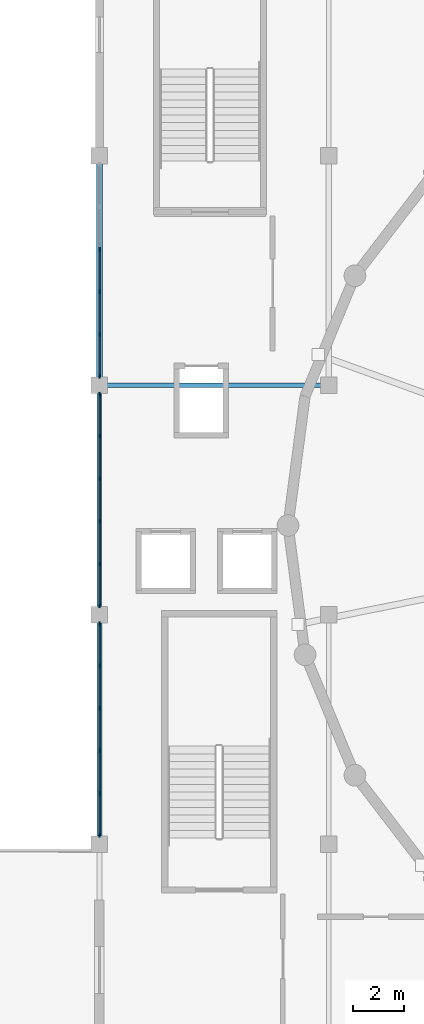
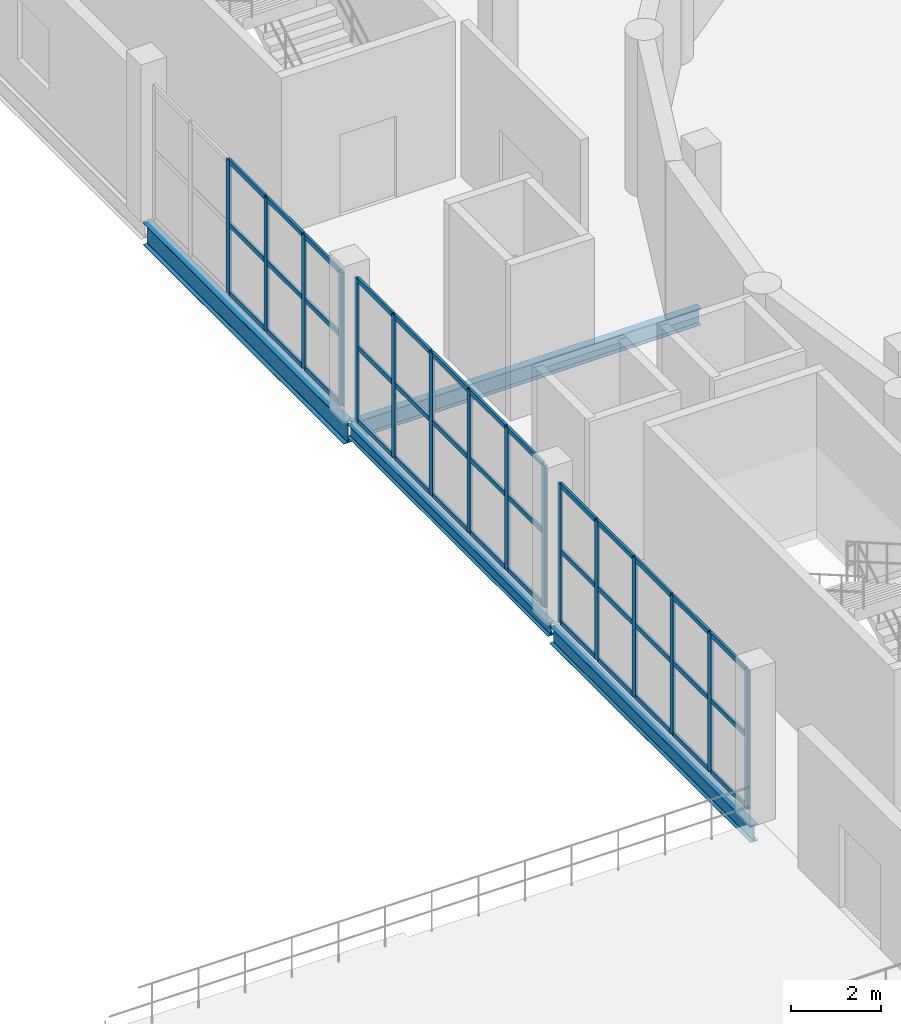
# One storey, part 11 of 54: 55 members, 4 beams, 3 elements without a shape of their own.
"""IFC4 building model written with IfcOpenShell, lengths in metres."""

from ifc_helpers import new_model, si_unit, direction, frame, origin, origin_2d, place, context, subcontext, project, spatial, rectangle, i_section, extrude, material, layer, layer_set, material_profile, profile_set, type_object, element, aggregate, save


model = new_model("IFC4")

# Units and contexts
model_context = context("Model", 3, precision=1e-05, world=origin(), true_north=direction((0.0, 1.0)))
body_context = subcontext(model_context, "Body", "Model", "MODEL_VIEW")
ifc_project = project(units=[si_unit("LENGTHUNIT", "METRE"), si_unit("AREAUNIT", "SQUARE_METRE"), si_unit("VOLUMEUNIT", "CUBIC_METRE"), si_unit("PLANEANGLEUNIT", "RADIAN"), si_unit("MASSUNIT", "GRAM", prefix="KILO")], contexts=[model_context])

# Site, building, storey
site_placement = place(None, origin())
site = spatial("IfcSite", under=ifc_project, at=site_placement, CompositionType="ELEMENT")
building_placement = place(site_placement, origin())
building = spatial("IfcBuilding", under=site, at=building_placement, Name="Marnock Terrace Opera House", CompositionType="ELEMENT")
storey_placement = place(building_placement, frame((0.0, 0.0, 19.199951171875)))
storey = spatial("IfcBuildingStorey", under=building, at=storey_placement, Name="L04", CompositionType="ELEMENT", Elevation=19.199951171875)

# Beams
ifc_material_1 = material(Name="Steel Grade 350 (AS/NZS 3679.1)", Category="steel")
ifc_material_profile_1 = material_profile(ifc_material_1, i_section(OverallWidth=0.1708984375, OverallDepth=0.355712890625, WebThickness=0.00732421875, FlangeThickness=0.011474609375, FilletRadius=0.011474609375, at=origin_2d()))
ifc_profile_set_1 = profile_set([ifc_material_profile_1], Name="Steel Grade 350 (AS/NZS 3679.1)")
beam_type_1 = type_object("IfcBeamType", Name="BM-GIRD-360", PredefinedType="BEAM", material=ifc_profile_set_1)
beam_1_placement = place(storey_placement, frame((55.0, 57.050048828125, -0.427734375), z_axis=(0.0, 1.0, 0.0), x_axis=(-1.0, 0.0, 0.0)))
element("IfcBeam", 1, at=beam_1_placement, inside=storey, type_object=beam_type_1, Name="L04 girder (X=55.0, 57.0..66.0)", PredefinedType="BEAM", context=body_context, shape_type="SweptSolid", body=[
    extrude(i_section(OverallWidth=0.1708984375, OverallDepth=0.355712890625, WebThickness=0.00732421875, FlangeThickness=0.011474609375, FilletRadius=0.011474609375, at=origin_2d()), origin(), (0.0, 0.0, 1.0), 8.89990234375),
])
ifc_material_profile_2 = material_profile(ifc_material_1, i_section(OverallWidth=0.19091796875, OverallDepth=0.46044921875, WebThickness=0.010009765625, FlangeThickness=0.01611328125, FilletRadius=0.011474609375, at=origin_2d()))
ifc_profile_set_2 = profile_set([ifc_material_profile_2], Name="Steel Grade 350 (AS/NZS 3679.1)")
beam_type_2 = type_object("IfcBeamType", Name="BM-GIRD-460A", PredefinedType="BEAM", material=ifc_profile_set_2)
beam_2_placement = place(storey_placement, frame((55.050048828125, 66.0, -0.480224609375), z_axis=(1.0, 0.0, 0.0), x_axis=(0.0, 1.0, 0.0)))
element("IfcBeam", 2, at=beam_2_placement, inside=storey, type_object=beam_type_2, Name="L04 girder (55.0..64.0, Y=66.0)", PredefinedType="BEAM", context=body_context, shape_type="SweptSolid", body=[
    extrude(i_section(OverallWidth=0.19091796875, OverallDepth=0.46044921875, WebThickness=0.010009765625, FlangeThickness=0.01611328125, FilletRadius=0.011474609375, at=origin_2d()), origin(), (0.0, 0.0, 1.0), 8.89990234375),
])
ifc_material_profile_3 = material_profile(ifc_material_1, i_section(OverallWidth=0.18994140625, OverallDepth=0.45751953125, WebThickness=0.009033203125, FlangeThickness=0.014404296875, FilletRadius=0.011474609375, at=origin_2d()))
ifc_profile_set_3 = profile_set([ifc_material_profile_3], Name="Steel Grade 350 (AS/NZS 3679.1)")
beam_type_3 = type_object("IfcBeamType", Name="BM-GIRD-460B", PredefinedType="BEAM", material=ifc_profile_set_3)
beam_3_placement = place(storey_placement, frame((55.0, 48.050048828125, -0.49853515625), z_axis=(0.0, 1.0, 0.0), x_axis=(-1.0, 0.0, 0.0)))
element("IfcBeam", 3, at=beam_3_placement, inside=storey, type_object=beam_type_3, Name="L04 girder (X=55.0, 48.0..57.0)", PredefinedType="BEAM", context=body_context, shape_type="SweptSolid", body=[
    extrude(i_section(OverallWidth=0.18994140625, OverallDepth=0.45751953125, WebThickness=0.009033203125, FlangeThickness=0.014404296875, FilletRadius=0.011474609375, at=origin_2d()), origin(), (0.0, 0.0, 1.0), 8.89990234375),
])
ifc_material_profile_4 = material_profile(ifc_material_1, i_section(OverallWidth=0.22802734375, OverallDepth=0.60205078125, WebThickness=0.010498046875, FlangeThickness=0.014892578125, FilletRadius=0.013916015625, at=origin_2d()))
ifc_profile_set_4 = profile_set([ifc_material_profile_4], Name="Steel Grade 350 (AS/NZS 3679.1)")
beam_type_4 = type_object("IfcBeamType", Name="BM-GIRD-610C", PredefinedType="BEAM", material=ifc_profile_set_4)
beam_4_placement = place(storey_placement, frame((55.0, 66.050048828125, -0.551025390625), z_axis=(0.0, 1.0, 0.0), x_axis=(-1.0, 0.0, 0.0)))
element("IfcBeam", 4, at=beam_4_placement, inside=storey, type_object=beam_type_4, Name="L04 girder (X=55.0, 66.0..75.0)", PredefinedType="BEAM", context=body_context, shape_type="SweptSolid", body=[
    extrude(i_section(OverallWidth=0.22802734375, OverallDepth=0.60205078125, WebThickness=0.010498046875, FlangeThickness=0.014892578125, FilletRadius=0.013916015625, at=origin_2d()), origin(), (0.0, 0.0, 1.0), 8.89990234375),
])

# Curtain wall, members
ifc_material_2 = material(Name="Anodised architectural bronze aluminium framing", Category="aluminium")
ifc_layer = layer(ifc_material_2, 0.159912109375)
ifc_layer_set = layer_set([ifc_layer], Name="Anodised architectural bronze aluminium framing")
curtain_wall_type = type_object("IfcCurtainWallType", Name="CW-DRUM-71x39", PredefinedType="NOTDEFINED", material=ifc_layer_set)
curtain_wall_1_placement = place(storey_placement, origin())
curtain_wall_1 = element("IfcCurtainWall", 5, at=curtain_wall_1_placement, inside=storey, type_object=curtain_wall_type, Name="L04 glazed Beaux-Arts colonnade curtain wall CW-L04-V1W2", PredefinedType="NOTDEFINED")
ifc_material_profile_5 = material_profile(ifc_material_2, rectangle(XDim=0.06005859375, YDim=0.14990234375, at=origin_2d()))
ifc_profile_set_5 = profile_set([ifc_material_profile_5], Name="Anodised architectural bronze aluminium framing")
member_type_1 = type_object("IfcMemberType", Name="CWM-60x150", PredefinedType="MULLION", material=ifc_profile_set_5)
member_1_placement = place(storey_placement, frame((55.0, 48.35107421875, 0.0), z_axis=(0.0, 0.0, 1.0), x_axis=(-1.0, 0.0, 0.0)))
member_1 = element("IfcMember", 6, at=member_1_placement, type_object=member_type_1, Name="CW-76 mullion 1", PredefinedType="MULLION", context=body_context, shape_type="SweptSolid", body=[
    extrude(rectangle(XDim=0.06005859375, YDim=0.14990234375, at=origin_2d()), origin(), (0.0, 0.0, 1.0), 3.7626953125),
])
member_2_placement = place(storey_placement, frame((55.0, 49.99267578125, 0.0), z_axis=(0.0, 0.0, 1.0), x_axis=(-1.0, 0.0, 0.0)))
member_2 = element("IfcMember", 7, at=member_2_placement, type_object=member_type_1, Name="CW-76 mullion 2", PredefinedType="MULLION", context=body_context, shape_type="SweptSolid", body=[
    extrude(rectangle(XDim=0.06005859375, YDim=0.14990234375, at=origin_2d()), origin(), (0.0, 0.0, 1.0), 3.7626953125),
])
member_3_placement = place(storey_placement, frame((55.0, 51.664306640625, 0.0), z_axis=(0.0, 0.0, 1.0), x_axis=(-1.0, 0.0, 0.0)))
member_3 = element("IfcMember", 8, at=member_3_placement, type_object=member_type_1, Name="CW-76 mullion 3", PredefinedType="MULLION", context=body_context, shape_type="SweptSolid", body=[
    extrude(rectangle(XDim=0.06005859375, YDim=0.14990234375, at=origin_2d()), origin(), (0.0, 0.0, 1.0), 3.7626953125),
])
member_4_placement = place(storey_placement, frame((55.0, 53.335693359375, 0.0), z_axis=(0.0, 0.0, 1.0), x_axis=(-1.0, 0.0, 0.0)))
member_4 = element("IfcMember", 9, at=member_4_placement, type_object=member_type_1, Name="CW-76 mullion 4", PredefinedType="MULLION", context=body_context, shape_type="SweptSolid", body=[
    extrude(rectangle(XDim=0.06005859375, YDim=0.14990234375, at=origin_2d()), origin(), (0.0, 0.0, 1.0), 3.7626953125),
])
member_5_placement = place(storey_placement, frame((55.0, 55.00732421875, 0.0), z_axis=(0.0, 0.0, 1.0), x_axis=(-1.0, 0.0, 0.0)))
member_5 = element("IfcMember", 10, at=member_5_placement, type_object=member_type_1, Name="CW-76 mullion 5", PredefinedType="MULLION", context=body_context, shape_type="SweptSolid", body=[
    extrude(rectangle(XDim=0.06005859375, YDim=0.14990234375, at=origin_2d()), origin(), (0.0, 0.0, 1.0), 3.7626953125),
])
member_6_placement = place(storey_placement, frame((55.0, 56.64892578125, 0.0), z_axis=(0.0, 0.0, 1.0), x_axis=(-1.0, 0.0, 0.0)))
member_6 = element("IfcMember", 11, at=member_6_placement, type_object=member_type_1, Name="CW-76 mullion 6", PredefinedType="MULLION", context=body_context, shape_type="SweptSolid", body=[
    extrude(rectangle(XDim=0.06005859375, YDim=0.14990234375, at=origin_2d()), origin(), (0.0, 0.0, 1.0), 3.7626953125),
])

curtain_wall_2_placement = place(storey_placement, origin())
curtain_wall_2 = element("IfcCurtainWall", 12, at=curtain_wall_2_placement, inside=storey, type_object=curtain_wall_type, Name="L04 glazed Beaux-Arts colonnade curtain wall CW-L04-V1W3", PredefinedType="NOTDEFINED")
member_7_placement = place(storey_placement, frame((55.0, 57.35107421875, 0.0), z_axis=(0.0, 0.0, 1.0), x_axis=(-1.0, 0.0, 0.0)))
member_7 = element("IfcMember", 13, at=member_7_placement, type_object=member_type_1, Name="CW-76 mullion 1", PredefinedType="MULLION", context=body_context, shape_type="SweptSolid", body=[
    extrude(rectangle(XDim=0.06005859375, YDim=0.14990234375, at=origin_2d()), origin(), (0.0, 0.0, 1.0), 3.864501953125),
])
member_8_placement = place(storey_placement, frame((55.0, 58.99267578125, 0.0), z_axis=(0.0, 0.0, 1.0), x_axis=(-1.0, 0.0, 0.0)))
member_8 = element("IfcMember", 14, at=member_8_placement, type_object=member_type_1, Name="CW-76 mullion 2", PredefinedType="MULLION", context=body_context, shape_type="SweptSolid", body=[
    extrude(rectangle(XDim=0.06005859375, YDim=0.14990234375, at=origin_2d()), origin(), (0.0, 0.0, 1.0), 3.864501953125),
])
member_9_placement = place(storey_placement, frame((55.0, 60.664306640625, 0.0), z_axis=(0.0, 0.0, 1.0), x_axis=(-1.0, 0.0, 0.0)))
member_9 = element("IfcMember", 15, at=member_9_placement, type_object=member_type_1, Name="CW-76 mullion 3", PredefinedType="MULLION", context=body_context, shape_type="SweptSolid", body=[
    extrude(rectangle(XDim=0.06005859375, YDim=0.14990234375, at=origin_2d()), origin(), (0.0, 0.0, 1.0), 3.864501953125),
])
member_10_placement = place(storey_placement, frame((55.0, 62.335693359375, 0.0), z_axis=(0.0, 0.0, 1.0), x_axis=(-1.0, 0.0, 0.0)))
member_10 = element("IfcMember", 16, at=member_10_placement, type_object=member_type_1, Name="CW-76 mullion 4", PredefinedType="MULLION", context=body_context, shape_type="SweptSolid", body=[
    extrude(rectangle(XDim=0.06005859375, YDim=0.14990234375, at=origin_2d()), origin(), (0.0, 0.0, 1.0), 3.864501953125),
])
member_11_placement = place(storey_placement, frame((55.0, 64.00732421875, 0.0), z_axis=(0.0, 0.0, 1.0), x_axis=(-1.0, 0.0, 0.0)))
member_11 = element("IfcMember", 17, at=member_11_placement, type_object=member_type_1, Name="CW-76 mullion 5", PredefinedType="MULLION", context=body_context, shape_type="SweptSolid", body=[
    extrude(rectangle(XDim=0.06005859375, YDim=0.14990234375, at=origin_2d()), origin(), (0.0, 0.0, 1.0), 3.864501953125),
])
member_12_placement = place(storey_placement, frame((55.0, 65.64892578125, 0.0), z_axis=(0.0, 0.0, 1.0), x_axis=(-1.0, 0.0, 0.0)))
member_12 = element("IfcMember", 18, at=member_12_placement, type_object=member_type_1, Name="CW-76 mullion 6", PredefinedType="MULLION", context=body_context, shape_type="SweptSolid", body=[
    extrude(rectangle(XDim=0.06005859375, YDim=0.14990234375, at=origin_2d()), origin(), (0.0, 0.0, 1.0), 3.864501953125),
])

curtain_wall_3_placement = place(storey_placement, origin())
curtain_wall_3 = element("IfcCurtainWall", 19, at=curtain_wall_3_placement, inside=storey, type_object=curtain_wall_type, Name="L04 glazed Beaux-Arts colonnade curtain wall CW-L04-V1W4", PredefinedType="NOTDEFINED")
member_13_placement = place(storey_placement, frame((55.0, 66.35107421875, 0.0), z_axis=(0.0, 0.0, 1.0), x_axis=(-1.0, 0.0, 0.0)))
member_13 = element("IfcMember", 20, at=member_13_placement, type_object=member_type_1, Name="CW-76 mullion 1", PredefinedType="MULLION", context=body_context, shape_type="SweptSolid", body=[
    extrude(rectangle(XDim=0.06005859375, YDim=0.14990234375, at=origin_2d()), origin(), (0.0, 0.0, 1.0), 3.6181640625),
])
member_14_placement = place(storey_placement, frame((55.0, 67.99267578125, 0.0), z_axis=(0.0, 0.0, 1.0), x_axis=(-1.0, 0.0, 0.0)))
member_14 = element("IfcMember", 21, at=member_14_placement, type_object=member_type_1, Name="CW-76 mullion 2", PredefinedType="MULLION", context=body_context, shape_type="SweptSolid", body=[
    extrude(rectangle(XDim=0.06005859375, YDim=0.14990234375, at=origin_2d()), origin(), (0.0, 0.0, 1.0), 3.6181640625),
])
member_15_placement = place(storey_placement, frame((55.0, 69.664306640625, 0.0), z_axis=(0.0, 0.0, 1.0), x_axis=(-1.0, 0.0, 0.0)))
member_15 = element("IfcMember", 22, at=member_15_placement, type_object=member_type_1, Name="CW-76 mullion 3", PredefinedType="MULLION", context=body_context, shape_type="SweptSolid", body=[
    extrude(rectangle(XDim=0.06005859375, YDim=0.14990234375, at=origin_2d()), origin(), (0.0, 0.0, 1.0), 3.6181640625),
])
member_16_placement = place(storey_placement, frame((55.0, 71.335693359375, 0.0), z_axis=(0.0, 0.0, 1.0), x_axis=(-1.0, 0.0, 0.0)))
member_16 = element("IfcMember", 23, at=member_16_placement, type_object=member_type_1, Name="CW-76 mullion 4", PredefinedType="MULLION", context=body_context, shape_type="SweptSolid", body=[
    extrude(rectangle(XDim=0.06005859375, YDim=0.14990234375, at=origin_2d()), origin(), (0.0, 0.0, 1.0), 3.6181640625),
])

# Member
ifc_material_profile_6 = material_profile(ifc_material_2, rectangle(XDim=0.06005859375, YDim=0.1298828125, at=origin_2d()))
ifc_profile_set_6 = profile_set([ifc_material_profile_6], Name="Anodised architectural bronze aluminium framing")
member_type_2 = type_object("IfcMemberType", Name="CWT-60x130", PredefinedType="USERDEFINED", material=ifc_profile_set_6)
member_17_placement = place(storey_placement, frame((55.0, 48.381103515625, 0.030029296875), z_axis=(0.0, 1.0, 0.0), x_axis=(-1.0, 0.0, 0.0)))
member_17 = element("IfcMember", 24, at=member_17_placement, type_object=member_type_2, Name="CW-76 transom 1.1", ObjectType="TRANSOM", PredefinedType="USERDEFINED", context=body_context, shape_type="SweptSolid", body=[
    extrude(rectangle(XDim=0.06005859375, YDim=0.1298828125, at=origin_2d()), origin(), (0.0, 0.0, 1.0), 1.58154296875),
])

member_18_placement = place(storey_placement, frame((55.0, 48.381103515625, 1.95654296875), z_axis=(0.0, 1.0, 0.0), x_axis=(-1.0, 0.0, 0.0)))
member_18 = element("IfcMember", 25, at=member_18_placement, type_object=member_type_2, Name="CW-76 transom 1.2", ObjectType="TRANSOM", PredefinedType="USERDEFINED", context=body_context, shape_type="SweptSolid", body=[
    extrude(rectangle(XDim=0.06005859375, YDim=0.1298828125, at=origin_2d()), origin(), (0.0, 0.0, 1.0), 1.58154296875),
])

member_19_placement = place(storey_placement, frame((55.0, 48.381103515625, 3.732666015625), z_axis=(0.0, 1.0, 0.0), x_axis=(-1.0, 0.0, 0.0)))
member_19 = element("IfcMember", 26, at=member_19_placement, type_object=member_type_2, Name="CW-76 transom 1.3", ObjectType="TRANSOM", PredefinedType="USERDEFINED", context=body_context, shape_type="SweptSolid", body=[
    extrude(rectangle(XDim=0.06005859375, YDim=0.1298828125, at=origin_2d()), origin(), (0.0, 0.0, 1.0), 1.58154296875),
])

member_20_placement = place(storey_placement, frame((55.0, 50.022705078125, 0.030029296875), z_axis=(0.0, 1.0, 0.0), x_axis=(-1.0, 0.0, 0.0)))
member_20 = element("IfcMember", 27, at=member_20_placement, type_object=member_type_2, Name="CW-76 transom 2.1", ObjectType="TRANSOM", PredefinedType="USERDEFINED", context=body_context, shape_type="SweptSolid", body=[
    extrude(rectangle(XDim=0.06005859375, YDim=0.1298828125, at=origin_2d()), origin(), (0.0, 0.0, 1.0), 1.611572265625),
])

member_21_placement = place(storey_placement, frame((55.0, 50.022705078125, 1.95654296875), z_axis=(0.0, 1.0, 0.0), x_axis=(-1.0, 0.0, 0.0)))
member_21 = element("IfcMember", 28, at=member_21_placement, type_object=member_type_2, Name="CW-76 transom 2.2", ObjectType="TRANSOM", PredefinedType="USERDEFINED", context=body_context, shape_type="SweptSolid", body=[
    extrude(rectangle(XDim=0.06005859375, YDim=0.1298828125, at=origin_2d()), origin(), (0.0, 0.0, 1.0), 1.611572265625),
])

member_22_placement = place(storey_placement, frame((55.0, 50.022705078125, 3.732666015625), z_axis=(0.0, 1.0, 0.0), x_axis=(-1.0, 0.0, 0.0)))
member_22 = element("IfcMember", 29, at=member_22_placement, type_object=member_type_2, Name="CW-76 transom 2.3", ObjectType="TRANSOM", PredefinedType="USERDEFINED", context=body_context, shape_type="SweptSolid", body=[
    extrude(rectangle(XDim=0.06005859375, YDim=0.1298828125, at=origin_2d()), origin(), (0.0, 0.0, 1.0), 1.611572265625),
])

member_23_placement = place(storey_placement, frame((55.0, 51.694091796875, 0.030029296875), z_axis=(0.0, 1.0, 0.0), x_axis=(-1.0, 0.0, 0.0)))
member_23 = element("IfcMember", 30, at=member_23_placement, type_object=member_type_2, Name="CW-76 transom 3.1", ObjectType="TRANSOM", PredefinedType="USERDEFINED", context=body_context, shape_type="SweptSolid", body=[
    extrude(rectangle(XDim=0.06005859375, YDim=0.1298828125, at=origin_2d()), origin(), (0.0, 0.0, 1.0), 1.61181640625),
])

member_24_placement = place(storey_placement, frame((55.0, 51.694091796875, 1.95654296875), z_axis=(0.0, 1.0, 0.0), x_axis=(-1.0, 0.0, 0.0)))
member_24 = element("IfcMember", 31, at=member_24_placement, type_object=member_type_2, Name="CW-76 transom 3.2", ObjectType="TRANSOM", PredefinedType="USERDEFINED", context=body_context, shape_type="SweptSolid", body=[
    extrude(rectangle(XDim=0.06005859375, YDim=0.1298828125, at=origin_2d()), origin(), (0.0, 0.0, 1.0), 1.61181640625),
])

member_25_placement = place(storey_placement, frame((55.0, 51.694091796875, 3.732666015625), z_axis=(0.0, 1.0, 0.0), x_axis=(-1.0, 0.0, 0.0)))
member_25 = element("IfcMember", 32, at=member_25_placement, type_object=member_type_2, Name="CW-76 transom 3.3", ObjectType="TRANSOM", PredefinedType="USERDEFINED", context=body_context, shape_type="SweptSolid", body=[
    extrude(rectangle(XDim=0.06005859375, YDim=0.1298828125, at=origin_2d()), origin(), (0.0, 0.0, 1.0), 1.61181640625),
])

member_26_placement = place(storey_placement, frame((55.0, 53.36572265625, 0.030029296875), z_axis=(0.0, 1.0, 0.0), x_axis=(-1.0, 0.0, 0.0)))
member_26 = element("IfcMember", 33, at=member_26_placement, type_object=member_type_2, Name="CW-76 transom 4.1", ObjectType="TRANSOM", PredefinedType="USERDEFINED", context=body_context, shape_type="SweptSolid", body=[
    extrude(rectangle(XDim=0.06005859375, YDim=0.1298828125, at=origin_2d()), origin(), (0.0, 0.0, 1.0), 1.611572265625),
])

member_27_placement = place(storey_placement, frame((55.0, 53.36572265625, 1.95654296875), z_axis=(0.0, 1.0, 0.0), x_axis=(-1.0, 0.0, 0.0)))
member_27 = element("IfcMember", 34, at=member_27_placement, type_object=member_type_2, Name="CW-76 transom 4.2", ObjectType="TRANSOM", PredefinedType="USERDEFINED", context=body_context, shape_type="SweptSolid", body=[
    extrude(rectangle(XDim=0.06005859375, YDim=0.1298828125, at=origin_2d()), origin(), (0.0, 0.0, 1.0), 1.611572265625),
])

member_28_placement = place(storey_placement, frame((55.0, 53.36572265625, 3.732666015625), z_axis=(0.0, 1.0, 0.0), x_axis=(-1.0, 0.0, 0.0)))
member_28 = element("IfcMember", 35, at=member_28_placement, type_object=member_type_2, Name="CW-76 transom 4.3", ObjectType="TRANSOM", PredefinedType="USERDEFINED", context=body_context, shape_type="SweptSolid", body=[
    extrude(rectangle(XDim=0.06005859375, YDim=0.1298828125, at=origin_2d()), origin(), (0.0, 0.0, 1.0), 1.611572265625),
])

member_29_placement = place(storey_placement, frame((55.0, 55.037353515625, 0.030029296875), z_axis=(0.0, 1.0, 0.0), x_axis=(-1.0, 0.0, 0.0)))
member_29 = element("IfcMember", 36, at=member_29_placement, type_object=member_type_2, Name="CW-76 transom 5.1", ObjectType="TRANSOM", PredefinedType="USERDEFINED", context=body_context, shape_type="SweptSolid", body=[
    extrude(rectangle(XDim=0.06005859375, YDim=0.1298828125, at=origin_2d()), origin(), (0.0, 0.0, 1.0), 1.58154296875),
])

member_30_placement = place(storey_placement, frame((55.0, 55.037353515625, 1.95654296875), z_axis=(0.0, 1.0, 0.0), x_axis=(-1.0, 0.0, 0.0)))
member_30 = element("IfcMember", 37, at=member_30_placement, type_object=member_type_2, Name="CW-76 transom 5.2", ObjectType="TRANSOM", PredefinedType="USERDEFINED", context=body_context, shape_type="SweptSolid", body=[
    extrude(rectangle(XDim=0.06005859375, YDim=0.1298828125, at=origin_2d()), origin(), (0.0, 0.0, 1.0), 1.58154296875),
])

member_31_placement = place(storey_placement, frame((55.0, 55.037353515625, 3.732666015625), z_axis=(0.0, 1.0, 0.0), x_axis=(-1.0, 0.0, 0.0)))
member_31 = element("IfcMember", 38, at=member_31_placement, type_object=member_type_2, Name="CW-76 transom 5.3", ObjectType="TRANSOM", PredefinedType="USERDEFINED", context=body_context, shape_type="SweptSolid", body=[
    extrude(rectangle(XDim=0.06005859375, YDim=0.1298828125, at=origin_2d()), origin(), (0.0, 0.0, 1.0), 1.58154296875),
])

aggregate(curtain_wall_1, [member_1, member_2, member_3, member_4, member_5, member_6, member_17, member_18, member_19, member_20, member_21, member_22, member_23, member_24, member_25, member_26, member_27, member_28, member_29, member_30, member_31])

member_32_placement = place(storey_placement, frame((55.0, 57.381103515625, 0.030029296875), z_axis=(0.0, 1.0, 0.0), x_axis=(-1.0, 0.0, 0.0)))
member_32 = element("IfcMember", 39, at=member_32_placement, type_object=member_type_2, Name="CW-76 transom 1.1", ObjectType="TRANSOM", PredefinedType="USERDEFINED", context=body_context, shape_type="SweptSolid", body=[
    extrude(rectangle(XDim=0.06005859375, YDim=0.1298828125, at=origin_2d()), origin(), (0.0, 0.0, 1.0), 1.58154296875),
])

member_33_placement = place(storey_placement, frame((55.0, 57.381103515625, 2.009521484375), z_axis=(0.0, 1.0, 0.0), x_axis=(-1.0, 0.0, 0.0)))
member_33 = element("IfcMember", 40, at=member_33_placement, type_object=member_type_2, Name="CW-76 transom 1.2", ObjectType="TRANSOM", PredefinedType="USERDEFINED", context=body_context, shape_type="SweptSolid", body=[
    extrude(rectangle(XDim=0.06005859375, YDim=0.1298828125, at=origin_2d()), origin(), (0.0, 0.0, 1.0), 1.58154296875),
])

member_34_placement = place(storey_placement, frame((55.0, 57.381103515625, 3.83447265625), z_axis=(0.0, 1.0, 0.0), x_axis=(-1.0, 0.0, 0.0)))
member_34 = element("IfcMember", 41, at=member_34_placement, type_object=member_type_2, Name="CW-76 transom 1.3", ObjectType="TRANSOM", PredefinedType="USERDEFINED", context=body_context, shape_type="SweptSolid", body=[
    extrude(rectangle(XDim=0.06005859375, YDim=0.1298828125, at=origin_2d()), origin(), (0.0, 0.0, 1.0), 1.58154296875),
])

member_35_placement = place(storey_placement, frame((55.0, 59.022705078125, 0.030029296875), z_axis=(0.0, 1.0, 0.0), x_axis=(-1.0, 0.0, 0.0)))
member_35 = element("IfcMember", 42, at=member_35_placement, type_object=member_type_2, Name="CW-76 transom 2.1", ObjectType="TRANSOM", PredefinedType="USERDEFINED", context=body_context, shape_type="SweptSolid", body=[
    extrude(rectangle(XDim=0.06005859375, YDim=0.1298828125, at=origin_2d()), origin(), (0.0, 0.0, 1.0), 1.611572265625),
])

member_36_placement = place(storey_placement, frame((55.0, 59.022705078125, 2.009521484375), z_axis=(0.0, 1.0, 0.0), x_axis=(-1.0, 0.0, 0.0)))
member_36 = element("IfcMember", 43, at=member_36_placement, type_object=member_type_2, Name="CW-76 transom 2.2", ObjectType="TRANSOM", PredefinedType="USERDEFINED", context=body_context, shape_type="SweptSolid", body=[
    extrude(rectangle(XDim=0.06005859375, YDim=0.1298828125, at=origin_2d()), origin(), (0.0, 0.0, 1.0), 1.611572265625),
])

member_37_placement = place(storey_placement, frame((55.0, 59.022705078125, 3.83447265625), z_axis=(0.0, 1.0, 0.0), x_axis=(-1.0, 0.0, 0.0)))
member_37 = element("IfcMember", 44, at=member_37_placement, type_object=member_type_2, Name="CW-76 transom 2.3", ObjectType="TRANSOM", PredefinedType="USERDEFINED", context=body_context, shape_type="SweptSolid", body=[
    extrude(rectangle(XDim=0.06005859375, YDim=0.1298828125, at=origin_2d()), origin(), (0.0, 0.0, 1.0), 1.611572265625),
])

member_38_placement = place(storey_placement, frame((55.0, 60.694091796875, 0.030029296875), z_axis=(0.0, 1.0, 0.0), x_axis=(-1.0, 0.0, 0.0)))
member_38 = element("IfcMember", 45, at=member_38_placement, type_object=member_type_2, Name="CW-76 transom 3.1", ObjectType="TRANSOM", PredefinedType="USERDEFINED", context=body_context, shape_type="SweptSolid", body=[
    extrude(rectangle(XDim=0.06005859375, YDim=0.1298828125, at=origin_2d()), origin(), (0.0, 0.0, 1.0), 1.61181640625),
])

member_39_placement = place(storey_placement, frame((55.0, 60.694091796875, 2.009521484375), z_axis=(0.0, 1.0, 0.0), x_axis=(-1.0, 0.0, 0.0)))
member_39 = element("IfcMember", 46, at=member_39_placement, type_object=member_type_2, Name="CW-76 transom 3.2", ObjectType="TRANSOM", PredefinedType="USERDEFINED", context=body_context, shape_type="SweptSolid", body=[
    extrude(rectangle(XDim=0.06005859375, YDim=0.1298828125, at=origin_2d()), origin(), (0.0, 0.0, 1.0), 1.61181640625),
])

member_40_placement = place(storey_placement, frame((55.0, 60.694091796875, 3.83447265625), z_axis=(0.0, 1.0, 0.0), x_axis=(-1.0, 0.0, 0.0)))
member_40 = element("IfcMember", 47, at=member_40_placement, type_object=member_type_2, Name="CW-76 transom 3.3", ObjectType="TRANSOM", PredefinedType="USERDEFINED", context=body_context, shape_type="SweptSolid", body=[
    extrude(rectangle(XDim=0.06005859375, YDim=0.1298828125, at=origin_2d()), origin(), (0.0, 0.0, 1.0), 1.61181640625),
])

member_41_placement = place(storey_placement, frame((55.0, 62.36572265625, 0.030029296875), z_axis=(0.0, 1.0, 0.0), x_axis=(-1.0, 0.0, 0.0)))
member_41 = element("IfcMember", 48, at=member_41_placement, type_object=member_type_2, Name="CW-76 transom 4.1", ObjectType="TRANSOM", PredefinedType="USERDEFINED", context=body_context, shape_type="SweptSolid", body=[
    extrude(rectangle(XDim=0.06005859375, YDim=0.1298828125, at=origin_2d()), origin(), (0.0, 0.0, 1.0), 1.611572265625),
])

member_42_placement = place(storey_placement, frame((55.0, 62.36572265625, 2.009521484375), z_axis=(0.0, 1.0, 0.0), x_axis=(-1.0, 0.0, 0.0)))
member_42 = element("IfcMember", 49, at=member_42_placement, type_object=member_type_2, Name="CW-76 transom 4.2", ObjectType="TRANSOM", PredefinedType="USERDEFINED", context=body_context, shape_type="SweptSolid", body=[
    extrude(rectangle(XDim=0.06005859375, YDim=0.1298828125, at=origin_2d()), origin(), (0.0, 0.0, 1.0), 1.611572265625),
])

member_43_placement = place(storey_placement, frame((55.0, 62.36572265625, 3.83447265625), z_axis=(0.0, 1.0, 0.0), x_axis=(-1.0, 0.0, 0.0)))
member_43 = element("IfcMember", 50, at=member_43_placement, type_object=member_type_2, Name="CW-76 transom 4.3", ObjectType="TRANSOM", PredefinedType="USERDEFINED", context=body_context, shape_type="SweptSolid", body=[
    extrude(rectangle(XDim=0.06005859375, YDim=0.1298828125, at=origin_2d()), origin(), (0.0, 0.0, 1.0), 1.611572265625),
])

member_44_placement = place(storey_placement, frame((55.0, 64.037353515625, 0.030029296875), z_axis=(0.0, 1.0, 0.0), x_axis=(-1.0, 0.0, 0.0)))
member_44 = element("IfcMember", 51, at=member_44_placement, type_object=member_type_2, Name="CW-76 transom 5.1", ObjectType="TRANSOM", PredefinedType="USERDEFINED", context=body_context, shape_type="SweptSolid", body=[
    extrude(rectangle(XDim=0.06005859375, YDim=0.1298828125, at=origin_2d()), origin(), (0.0, 0.0, 1.0), 1.58154296875),
])

member_45_placement = place(storey_placement, frame((55.0, 64.037353515625, 2.009521484375), z_axis=(0.0, 1.0, 0.0), x_axis=(-1.0, 0.0, 0.0)))
member_45 = element("IfcMember", 52, at=member_45_placement, type_object=member_type_2, Name="CW-76 transom 5.2", ObjectType="TRANSOM", PredefinedType="USERDEFINED", context=body_context, shape_type="SweptSolid", body=[
    extrude(rectangle(XDim=0.06005859375, YDim=0.1298828125, at=origin_2d()), origin(), (0.0, 0.0, 1.0), 1.58154296875),
])

member_46_placement = place(storey_placement, frame((55.0, 64.037353515625, 3.83447265625), z_axis=(0.0, 1.0, 0.0), x_axis=(-1.0, 0.0, 0.0)))
member_46 = element("IfcMember", 53, at=member_46_placement, type_object=member_type_2, Name="CW-76 transom 5.3", ObjectType="TRANSOM", PredefinedType="USERDEFINED", context=body_context, shape_type="SweptSolid", body=[
    extrude(rectangle(XDim=0.06005859375, YDim=0.1298828125, at=origin_2d()), origin(), (0.0, 0.0, 1.0), 1.58154296875),
])

aggregate(curtain_wall_2, [member_7, member_8, member_9, member_10, member_11, member_12, member_32, member_33, member_34, member_35, member_36, member_37, member_38, member_39, member_40, member_41, member_42, member_43, member_44, member_45, member_46])

member_47_placement = place(storey_placement, frame((55.0, 66.381103515625, 0.030029296875), z_axis=(0.0, 1.0, 0.0), x_axis=(-1.0, 0.0, 0.0)))
member_47 = element("IfcMember", 54, at=member_47_placement, type_object=member_type_2, Name="CW-76 transom 1.1", ObjectType="TRANSOM", PredefinedType="USERDEFINED", context=body_context, shape_type="SweptSolid", body=[
    extrude(rectangle(XDim=0.06005859375, YDim=0.1298828125, at=origin_2d()), origin(), (0.0, 0.0, 1.0), 1.58154296875),
])

member_48_placement = place(storey_placement, frame((55.0, 66.381103515625, 1.88134765625), z_axis=(0.0, 1.0, 0.0), x_axis=(-1.0, 0.0, 0.0)))
member_48 = element("IfcMember", 55, at=member_48_placement, type_object=member_type_2, Name="CW-76 transom 1.2", ObjectType="TRANSOM", PredefinedType="USERDEFINED", context=body_context, shape_type="SweptSolid", body=[
    extrude(rectangle(XDim=0.06005859375, YDim=0.1298828125, at=origin_2d()), origin(), (0.0, 0.0, 1.0), 1.58154296875),
])

member_49_placement = place(storey_placement, frame((55.0, 66.381103515625, 3.588134765625), z_axis=(0.0, 1.0, 0.0), x_axis=(-1.0, 0.0, 0.0)))
member_49 = element("IfcMember", 56, at=member_49_placement, type_object=member_type_2, Name="CW-76 transom 1.3", ObjectType="TRANSOM", PredefinedType="USERDEFINED", context=body_context, shape_type="SweptSolid", body=[
    extrude(rectangle(XDim=0.06005859375, YDim=0.1298828125, at=origin_2d()), origin(), (0.0, 0.0, 1.0), 1.58154296875),
])

member_50_placement = place(storey_placement, frame((55.0, 68.022705078125, 0.030029296875), z_axis=(0.0, 1.0, 0.0), x_axis=(-1.0, 0.0, 0.0)))
member_50 = element("IfcMember", 57, at=member_50_placement, type_object=member_type_2, Name="CW-76 transom 2.1", ObjectType="TRANSOM", PredefinedType="USERDEFINED", context=body_context, shape_type="SweptSolid", body=[
    extrude(rectangle(XDim=0.06005859375, YDim=0.1298828125, at=origin_2d()), origin(), (0.0, 0.0, 1.0), 1.611572265625),
])

member_51_placement = place(storey_placement, frame((55.0, 68.022705078125, 1.88134765625), z_axis=(0.0, 1.0, 0.0), x_axis=(-1.0, 0.0, 0.0)))
member_51 = element("IfcMember", 58, at=member_51_placement, type_object=member_type_2, Name="CW-76 transom 2.2", ObjectType="TRANSOM", PredefinedType="USERDEFINED", context=body_context, shape_type="SweptSolid", body=[
    extrude(rectangle(XDim=0.06005859375, YDim=0.1298828125, at=origin_2d()), origin(), (0.0, 0.0, 1.0), 1.611572265625),
])

member_52_placement = place(storey_placement, frame((55.0, 68.022705078125, 3.588134765625), z_axis=(0.0, 1.0, 0.0), x_axis=(-1.0, 0.0, 0.0)))
member_52 = element("IfcMember", 59, at=member_52_placement, type_object=member_type_2, Name="CW-76 transom 2.3", ObjectType="TRANSOM", PredefinedType="USERDEFINED", context=body_context, shape_type="SweptSolid", body=[
    extrude(rectangle(XDim=0.06005859375, YDim=0.1298828125, at=origin_2d()), origin(), (0.0, 0.0, 1.0), 1.611572265625),
])

member_53_placement = place(storey_placement, frame((55.0, 69.694091796875, 0.030029296875), z_axis=(0.0, 1.0, 0.0), x_axis=(-1.0, 0.0, 0.0)))
member_53 = element("IfcMember", 60, at=member_53_placement, type_object=member_type_2, Name="CW-76 transom 3.1", ObjectType="TRANSOM", PredefinedType="USERDEFINED", context=body_context, shape_type="SweptSolid", body=[
    extrude(rectangle(XDim=0.06005859375, YDim=0.1298828125, at=origin_2d()), origin(), (0.0, 0.0, 1.0), 1.61181640625),
])

member_54_placement = place(storey_placement, frame((55.0, 69.694091796875, 1.88134765625), z_axis=(0.0, 1.0, 0.0), x_axis=(-1.0, 0.0, 0.0)))
member_54 = element("IfcMember", 61, at=member_54_placement, type_object=member_type_2, Name="CW-76 transom 3.2", ObjectType="TRANSOM", PredefinedType="USERDEFINED", context=body_context, shape_type="SweptSolid", body=[
    extrude(rectangle(XDim=0.06005859375, YDim=0.1298828125, at=origin_2d()), origin(), (0.0, 0.0, 1.0), 1.61181640625),
])

member_55_placement = place(storey_placement, frame((55.0, 69.694091796875, 3.588134765625), z_axis=(0.0, 1.0, 0.0), x_axis=(-1.0, 0.0, 0.0)))
member_55 = element("IfcMember", 62, at=member_55_placement, type_object=member_type_2, Name="CW-76 transom 3.3", ObjectType="TRANSOM", PredefinedType="USERDEFINED", context=body_context, shape_type="SweptSolid", body=[
    extrude(rectangle(XDim=0.06005859375, YDim=0.1298828125, at=origin_2d()), origin(), (0.0, 0.0, 1.0), 1.61181640625),
])

aggregate(curtain_wall_3, [member_13, member_14, member_15, member_16, member_47, member_48, member_49, member_50, member_51, member_52, member_53, member_54, member_55])

save(model, "model.ifc")
